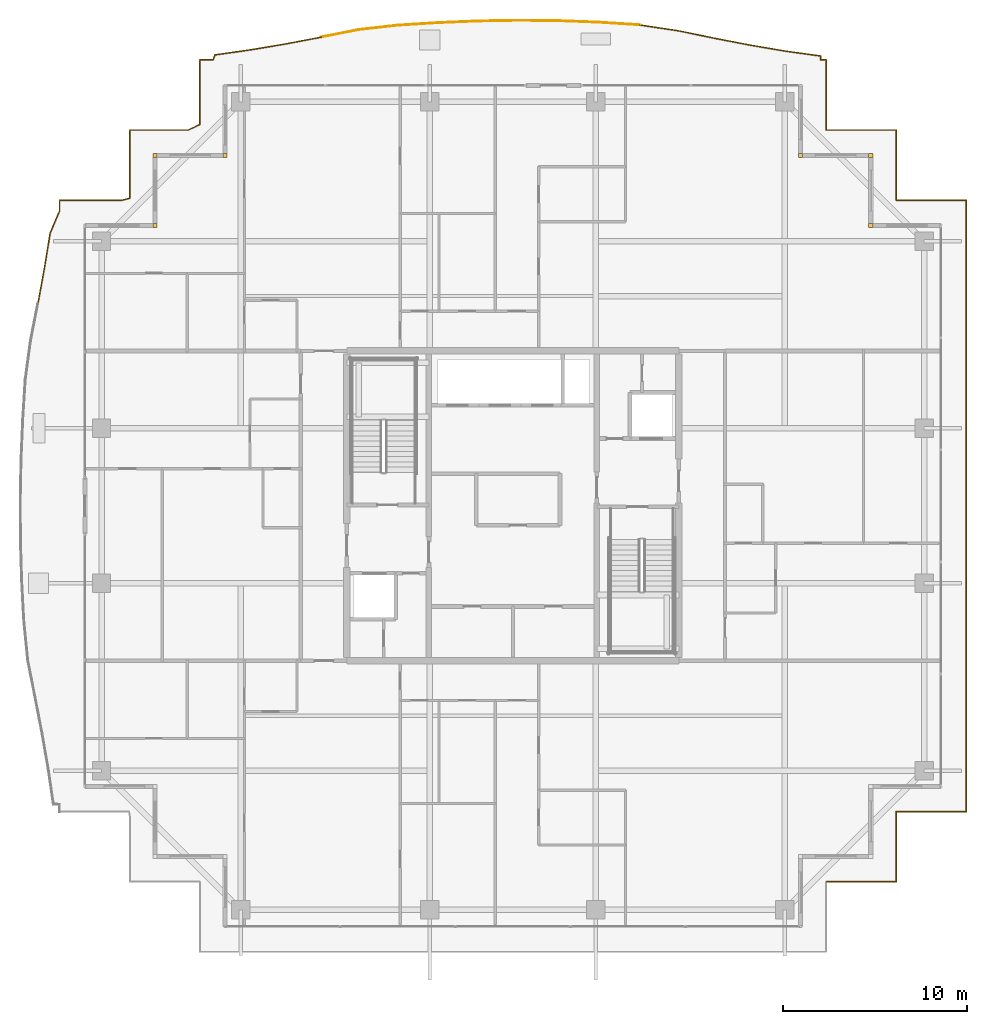
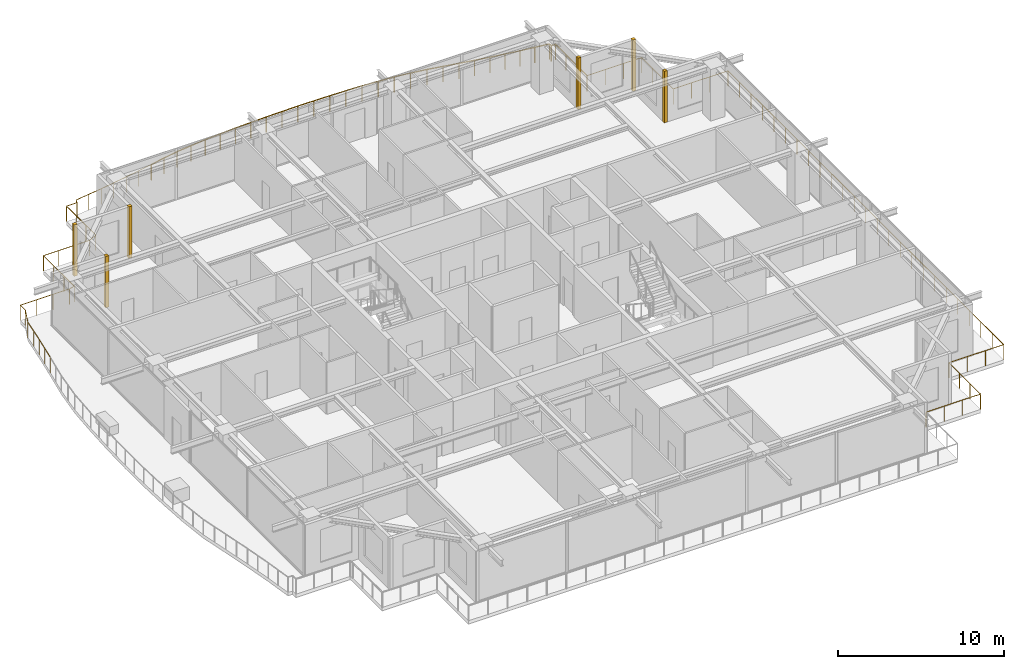
# One storey, part 37 of 37: 6 coverings, 5 railings.
"""IFC4 building model written with IfcOpenShell, lengths in metres."""

from ifc_helpers import new_model, si_unit, direction, frame, origin, origin_2d, place, context, subcontext, project, spatial, rectangle, circle, extrude, source, transform, mapped, material, layer, layer_set, type_object, element, save


model = new_model("IFC4")

# Units and contexts
model_context = context("Model", 3, precision=1e-05, world=origin(), true_north=direction((0.0, 1.0)))
body_context = subcontext(model_context, "Body", "Model", "MODEL_VIEW")
ifc_project = project(units=[si_unit("LENGTHUNIT", "METRE"), si_unit("AREAUNIT", "SQUARE_METRE"), si_unit("VOLUMEUNIT", "CUBIC_METRE"), si_unit("PLANEANGLEUNIT", "RADIAN"), si_unit("MASSUNIT", "GRAM", prefix="KILO")], contexts=[model_context])

# Site, building, storey
site_placement = place(None, origin())
site = spatial("IfcSite", under=ifc_project, at=site_placement, CompositionType="ELEMENT")
building_placement = place(site_placement, origin())
building = spatial("IfcBuilding", under=site, at=building_placement, Name="Serunith Strait Residences", CompositionType="ELEMENT")
storey_placement = place(building_placement, frame((0.0, 0.0, 317.75)))
storey = spatial("IfcBuildingStorey", under=building, at=storey_placement, Name="L79", CompositionType="ELEMENT", Elevation=317.75)

# Railings
ifc_material_1 = material(Name="Stainless Steel & Laminated Glass Balustrade", Category="steel")
railing_type = type_object("IfcRailingType", Name="RLG-BALC-1150", PredefinedType="BALUSTRADE", material=ifc_material_1)
railing_1_placement = place(storey_placement, frame((6.643798828125, 36.13525390625, -0.050048828125)))
element("IfcRailing", 1, at=railing_1_placement, inside=storey, type_object=railing_type, Name="L79 Swirling Balcony Perimeter Balustrade 3", PredefinedType="BALUSTRADE", context=body_context, shape_type="SweptSolid", body=[
    extrude(circle(Radius=0.02392578125, at=origin_2d()), frame((0.000244140625, 0.001953125, 1.1259765625), z_axis=(0.181240934076, 0.983438723976, 0.0), x_axis=(-0.983438723976, 0.181240934076, 0.0)), (0.0, 0.0, 1.0), 1.974853515625),
    extrude(circle(Radius=0.02392578125, at=origin_2d()), frame((0.35888671875, 1.947998046875, 1.1259765625), z_axis=(0.160601463022, 0.987019336222, 0.0), x_axis=(-0.987019336222, 0.160601463022, 0.0)), (0.0, 0.0, 1.0), 1.935791015625),
    extrude(circle(Radius=0.02392578125, at=origin_2d()), frame((0.6708984375, 3.862548828125, 1.1259765625), z_axis=(0.39336958254, 0.919380428078, 0.0), x_axis=(-0.919380428078, 0.39336958254, 0.0)), (0.0, 0.0, 1.0), 1.282470703125),
    extrude(circle(Radius=0.02392578125, at=origin_2d()), frame((1.17626953125, 5.04541015625, 1.1259765625), z_axis=(0.0, 1.0, 0.0), x_axis=(-1.0, 0.0, 0.0)), (0.0, 0.0, 1.0), 0.597412109375),
    extrude(circle(Radius=0.02392578125, at=origin_2d()), frame((1.17822265625, 5.644775390625, 1.1259765625), z_axis=(1.0, 0.0, 0.0), x_axis=(0.0, 1.0, 0.0)), (0.0, 0.0, 1.0), 3.408203125),
    extrude(circle(Radius=0.02392578125, at=origin_2d()), frame((4.59033203125, 5.645263671875, 1.1259765625), z_axis=(0.970034674682, 0.242966520153, 0.0), x_axis=(-0.242966520153, 0.970034674682, 0.0)), (0.0, 0.0, 1.0), 0.39599609375),
    extrude(circle(Radius=0.02392578125, at=origin_2d()), frame((4.976318359375, 5.743896484375, 1.1259765625), z_axis=(0.0, 1.0, 0.0), x_axis=(-1.0, 0.0, 0.0)), (0.0, 0.0, 1.0), 3.698974609375),
    extrude(circle(Radius=0.02392578125, at=origin_2d()), frame((4.978271484375, 9.44482421875, 1.1259765625), z_axis=(1.0, 0.0, 0.0), x_axis=(0.0, 1.0, 0.0)), (0.0, 0.0, 1.0), 3.179443359375),
    extrude(circle(Radius=0.02099609375, at=origin_2d()), origin(), (0.0, 0.0, 1.0), 1.099853515625),
    extrude(circle(Radius=0.02099609375, at=origin_2d()), frame((0.17919921875, 0.97314453125, 0.0)), (0.0, 0.0, 1.0), 1.099853515625),
    extrude(circle(Radius=0.02099609375, at=origin_2d()), frame((0.358642578125, 1.946044921875, 0.0)), (0.0, 0.0, 1.0), 1.099853515625),
    extrude(circle(Radius=0.02099609375, at=origin_2d()), frame((0.514404296875, 2.9033203125, 0.0)), (0.0, 0.0, 1.0), 1.099853515625),
    extrude(circle(Radius=0.02099609375, at=origin_2d()), frame((0.670166015625, 3.860595703125, 0.0)), (0.0, 0.0, 1.0), 1.099853515625),
    extrude(circle(Radius=0.02099609375, at=origin_2d()), frame((1.17626953125, 5.04345703125, 0.0)), (0.0, 0.0, 1.0), 1.099853515625),
    extrude(circle(Radius=0.02099609375, at=origin_2d()), frame((1.17626953125, 5.644775390625, 0.0)), (0.0, 0.0, 1.0), 1.099853515625),
    extrude(circle(Radius=0.02099609375, at=origin_2d()), frame((2.313720703125, 5.644775390625, 0.0)), (0.0, 0.0, 1.0), 1.099853515625),
    extrude(circle(Radius=0.02099609375, at=origin_2d()), frame((3.450927734375, 5.644775390625, 0.0)), (0.0, 0.0, 1.0), 1.099853515625),
    extrude(circle(Radius=0.02099609375, at=origin_2d()), frame((4.58837890625, 5.644775390625, 0.0)), (0.0, 0.0, 1.0), 1.099853515625),
    extrude(circle(Radius=0.02099609375, at=origin_2d()), frame((4.976318359375, 5.741943359375, 0.0)), (0.0, 0.0, 1.0), 1.099853515625),
    extrude(circle(Radius=0.02099609375, at=origin_2d()), frame((4.976318359375, 6.976318359375, 0.0)), (0.0, 0.0, 1.0), 1.099853515625),
    extrude(circle(Radius=0.02099609375, at=origin_2d()), frame((4.976318359375, 8.21044921875, 0.0)), (0.0, 0.0, 1.0), 1.099853515625),
    extrude(circle(Radius=0.02099609375, at=origin_2d()), frame((4.976318359375, 9.44482421875, 0.0)), (0.0, 0.0, 1.0), 1.099853515625),
    extrude(circle(Radius=0.02099609375, at=origin_2d()), frame((6.037353515625, 9.44482421875, 0.0)), (0.0, 0.0, 1.0), 1.099853515625),
    extrude(circle(Radius=0.02099609375, at=origin_2d()), frame((7.0986328125, 9.44482421875, 0.0)), (0.0, 0.0, 1.0), 1.099853515625),
    extrude(circle(Radius=0.02099609375, at=origin_2d()), frame((8.15966796875, 9.44482421875, 0.0)), (0.0, 0.0, 1.0), 1.099853515625),
])
railing_2_placement = place(storey_placement, frame((14.803466796875, 45.580078125, -0.050048828125)))
element("IfcRailing", 2, at=railing_2_placement, inside=storey, type_object=railing_type, Name="L79 Swirling Balcony Perimeter Balustrade 4", PredefinedType="BALUSTRADE", context=body_context, shape_type="SweptSolid", body=[
    extrude(circle(Radius=0.02392578125, at=origin_2d()), frame((0.001708984375, 0.000732421875, 1.1259765625), z_axis=(0.904436807831, 0.42660761906, 0.0), x_axis=(-0.42660761906, 0.904436807831, 0.0)), (0.0, 0.0, 1.0), 0.677490234375),
    extrude(circle(Radius=0.02392578125, at=origin_2d()), frame((0.616455078125, 0.292724609375, 1.1259765625), z_axis=(0.0, 1.0, 0.0), x_axis=(-1.0, 0.0, 0.0)), (0.0, 0.0, 1.0), 3.505126953125),
    extrude(circle(Radius=0.02392578125, at=origin_2d()), frame((0.618408203125, 3.7998046875, 1.1259765625), z_axis=(1.0, 0.0, 0.0), x_axis=(0.0, 1.0, 0.0)), (0.0, 0.0, 1.0), 0.727294921875),
    extrude(circle(Radius=0.02392578125, at=origin_2d()), frame((1.348388671875, 3.8017578125, 1.1259765625), z_axis=(0.314696398795, 0.94919238123, 0.0), x_axis=(-0.94919238123, 0.314696398795, 0.0)), (0.0, 0.0, 1.0), 0.282958984375),
    extrude(circle(Radius=0.02392578125, at=origin_2d()), frame((1.43994140625, 4.072509765625, 1.1259765625), z_axis=(0.990259866189, 0.139231452681, 0.0), x_axis=(-0.139231452681, 0.990259866189, 0.0)), (0.0, 0.0, 1.0), 1.916015625),
    extrude(circle(Radius=0.02392578125, at=origin_2d()), frame((3.34130859375, 4.33984375, 1.1259765625), z_axis=(0.986172650087, 0.165721164071, 0.0), x_axis=(-0.165721164071, 0.986172650087, 0.0)), (0.0, 0.0, 1.0), 1.942138671875),
    extrude(circle(Radius=0.02392578125, at=origin_2d()), frame((5.260498046875, 4.66259765625, 1.1259765625), z_axis=(0.982477997445, 0.186378605364, 0.0), x_axis=(-0.186378605364, 0.982477997445, 0.0)), (0.0, 0.0, 1.0), 1.984375),
    extrude(circle(Radius=0.02099609375, at=origin_2d()), origin(), (0.0, 0.0, 1.0), 1.099853515625),
    extrude(circle(Radius=0.02099609375, at=origin_2d()), frame((0.616455078125, 0.290771484375, 0.0)), (0.0, 0.0, 1.0), 1.099853515625),
    extrude(circle(Radius=0.02099609375, at=origin_2d()), frame((0.616455078125, 1.46044921875, 0.0)), (0.0, 0.0, 1.0), 1.099853515625),
    extrude(circle(Radius=0.02099609375, at=origin_2d()), frame((0.616455078125, 2.630126953125, 0.0)), (0.0, 0.0, 1.0), 1.099853515625),
    extrude(circle(Radius=0.02099609375, at=origin_2d()), frame((0.616455078125, 3.7998046875, 0.0)), (0.0, 0.0, 1.0), 1.099853515625),
    extrude(circle(Radius=0.02099609375, at=origin_2d()), frame((1.34765625, 3.7998046875, 0.0)), (0.0, 0.0, 1.0), 1.099853515625),
    extrude(circle(Radius=0.02099609375, at=origin_2d()), frame((1.43798828125, 4.072265625, 0.0)), (0.0, 0.0, 1.0), 1.099853515625),
    extrude(circle(Radius=0.02099609375, at=origin_2d()), frame((2.388671875, 4.2060546875, 0.0)), (0.0, 0.0, 1.0), 1.099853515625),
    extrude(circle(Radius=0.02099609375, at=origin_2d()), frame((3.33935546875, 4.339599609375, 0.0)), (0.0, 0.0, 1.0), 1.099853515625),
    extrude(circle(Radius=0.02099609375, at=origin_2d()), frame((4.298828125, 4.5009765625, 0.0)), (0.0, 0.0, 1.0), 1.099853515625),
    extrude(circle(Radius=0.02099609375, at=origin_2d()), frame((5.258544921875, 4.662109375, 0.0)), (0.0, 0.0, 1.0), 1.099853515625),
    extrude(circle(Radius=0.02099609375, at=origin_2d()), frame((6.2353515625, 4.847412109375, 0.0)), (0.0, 0.0, 1.0), 1.099853515625),
    extrude(circle(Radius=0.02099609375, at=origin_2d()), frame((7.212158203125, 5.03271484375, 0.0)), (0.0, 0.0, 1.0), 1.099853515625),
])
railing_3_placement = place(storey_placement, frame((22.015625, 50.61279296875, -0.050048828125)))
element("IfcRailing", 3, at=railing_3_placement, inside=storey, type_object=railing_type, Name="L79 Swirling Balcony Perimeter Balustrade 5", PredefinedType="BALUSTRADE", context=body_context, shape_type="SweptSolid", body=[
    extrude(circle(Radius=0.02392578125, at=origin_2d()), frame((0.001953125, 0.00048828125, 1.1259765625), z_axis=(0.980836806488, 0.19483110388, 0.0), x_axis=(-0.19483110388, 0.980836806488, 0.0)), (0.0, 0.0, 1.0), 2.042236328125),
    extrude(circle(Radius=0.02392578125, at=origin_2d()), frame((2.009033203125, 0.39892578125, 1.1259765625), z_axis=(0.993619011381, 0.112788564233, 0.0), x_axis=(-0.112788564233, 0.993619011381, 0.0)), (0.0, 0.0, 1.0), 2.12158203125),
    extrude(circle(Radius=0.02392578125, at=origin_2d()), frame((4.12109375, 0.638671875, 1.1259765625), z_axis=(0.998018326593, 0.062923920614, 0.0), x_axis=(-0.062923920614, 0.998018326593, 0.0)), (0.0, 0.0, 1.0), 2.168701171875),
    extrude(circle(Radius=0.02392578125, at=origin_2d()), frame((6.28955078125, 0.775146484375, 1.1259765625), z_axis=(0.9991220607, 0.041894006994, 0.0), x_axis=(-0.041894006994, 0.9991220607, 0.0)), (0.0, 0.0, 1.0), 2.193115234375),
    extrude(circle(Radius=0.02392578125, at=origin_2d()), frame((8.484619140625, 0.8671875, 1.1259765625), z_axis=(0.99985524953, 0.017014111428, 0.0), x_axis=(-0.017014111428, 0.99985524953, 0.0)), (0.0, 0.0, 1.0), 2.205810546875),
    extrude(circle(Radius=0.02392578125, at=origin_2d()), frame((10.694091796875, 0.90478515625, 1.1259765625), z_axis=(0.999948367045, -0.010161852399, 0.0), x_axis=(0.010161852399, 0.999948367045, 0.0)), (0.0, 0.0, 1.0), 2.206298828125),
    extrude(circle(Radius=0.02392578125, at=origin_2d()), frame((12.904296875, 0.88232421875, 1.1259765625), z_axis=(0.999277658997, -0.038002108237, 0.0), x_axis=(0.038002108237, 0.999277658997, 0.0)), (0.0, 0.0, 1.0), 2.193115234375),
    extrude(circle(Radius=0.02392578125, at=origin_2d()), frame((15.099853515625, 0.798583984375, 1.1259765625), z_axis=(0.997965888032, -0.063750186854, 0.0), x_axis=(0.063750186854, 0.997965888032, 0.0)), (0.0, 0.0, 1.0), 2.16748046875),
    extrude(circle(Radius=0.02099609375, at=origin_2d()), origin(), (0.0, 0.0, 1.0), 1.099853515625),
    extrude(circle(Radius=0.02099609375, at=origin_2d()), frame((1.00341796875, 0.19921875, 0.0)), (0.0, 0.0, 1.0), 1.099853515625),
    extrude(circle(Radius=0.02099609375, at=origin_2d()), frame((2.007080078125, 0.398681640625, 0.0)), (0.0, 0.0, 1.0), 1.099853515625),
    extrude(circle(Radius=0.02099609375, at=origin_2d()), frame((3.06298828125, 0.5185546875, 0.0)), (0.0, 0.0, 1.0), 1.099853515625),
    extrude(circle(Radius=0.02099609375, at=origin_2d()), frame((4.119140625, 0.638427734375, 0.0)), (0.0, 0.0, 1.0), 1.099853515625),
    extrude(circle(Radius=0.02099609375, at=origin_2d()), frame((5.203369140625, 0.706787109375, 0.0)), (0.0, 0.0, 1.0), 1.099853515625),
    extrude(circle(Radius=0.02099609375, at=origin_2d()), frame((6.28759765625, 0.775146484375, 0.0)), (0.0, 0.0, 1.0), 1.099853515625),
    extrude(circle(Radius=0.02099609375, at=origin_2d()), frame((7.38525390625, 0.8212890625, 0.0)), (0.0, 0.0, 1.0), 1.099853515625),
    extrude(circle(Radius=0.02099609375, at=origin_2d()), frame((8.482666015625, 0.8671875, 0.0)), (0.0, 0.0, 1.0), 1.099853515625),
    extrude(circle(Radius=0.02099609375, at=origin_2d()), frame((9.58740234375, 0.885986328125, 0.0)), (0.0, 0.0, 1.0), 1.099853515625),
    extrude(circle(Radius=0.02099609375, at=origin_2d()), frame((10.692138671875, 0.90478515625, 0.0)), (0.0, 0.0, 1.0), 1.099853515625),
    extrude(circle(Radius=0.02099609375, at=origin_2d()), frame((11.79736328125, 0.8935546875, 0.0)), (0.0, 0.0, 1.0), 1.099853515625),
    extrude(circle(Radius=0.02099609375, at=origin_2d()), frame((12.90234375, 0.88232421875, 0.0)), (0.0, 0.0, 1.0), 1.099853515625),
    extrude(circle(Radius=0.02099609375, at=origin_2d()), frame((14.0, 0.840576171875, 0.0)), (0.0, 0.0, 1.0), 1.099853515625),
    extrude(circle(Radius=0.02099609375, at=origin_2d()), frame((15.097900390625, 0.798828125, 0.0)), (0.0, 0.0, 1.0), 1.099853515625),
    extrude(circle(Radius=0.02099609375, at=origin_2d()), frame((16.181396484375, 0.7294921875, 0.0)), (0.0, 0.0, 1.0), 1.099853515625),
    extrude(circle(Radius=0.02099609375, at=origin_2d()), frame((17.264892578125, 0.660400390625, 0.0)), (0.0, 0.0, 1.0), 1.099853515625),
])
railing_4_placement = place(storey_placement, frame((39.280517578125, 51.273193359375, -0.050048828125)))
element("IfcRailing", 4, at=railing_4_placement, inside=storey, type_object=railing_type, Name="L79 Swirling Balcony Perimeter Balustrade 6", PredefinedType="BALUSTRADE", context=body_context, shape_type="SweptSolid", body=[
    extrude(circle(Radius=0.02392578125, at=origin_2d()), frame((0.001953125, -0.000244140625, 1.1259765625), z_axis=(0.988896355036, -0.148606860527, 0.0), x_axis=(0.148606860527, 0.988896355036, 0.0)), (0.0, 0.0, 1.0), 2.10205078125),
    extrude(circle(Radius=0.02392578125, at=origin_2d()), frame((2.084716796875, -0.3134765625, 1.1259765625), z_axis=(0.979483577609, -0.201523996572, 0.0), x_axis=(0.201523996572, 0.979483577609, 0.0)), (0.0, 0.0, 1.0), 2.0263671875),
    extrude(circle(Radius=0.02392578125, at=origin_2d()), frame((4.073486328125, -0.72265625, 1.1259765625), z_axis=(0.981756764187, -0.190141147499, 0.0), x_axis=(0.190141147499, 0.981756764187, 0.0)), (0.0, 0.0, 1.0), 1.969482421875),
    extrude(circle(Radius=0.02392578125, at=origin_2d()), frame((6.010986328125, -1.09765625, 1.1259765625), z_axis=(0.98607818548, -0.16628232654, 0.0), x_axis=(0.16628232654, 0.98607818548, 0.0)), (0.0, 0.0, 1.0), 1.9296875),
    extrude(circle(Radius=0.02392578125, at=origin_2d()), frame((7.917724609375, -1.419189453125, 1.1259765625), z_axis=(0.990506291409, -0.137467402239, 0.0), x_axis=(0.137467402239, 0.990506291409, 0.0)), (0.0, 0.0, 1.0), 1.906982421875),
    extrude(circle(Radius=0.02392578125, at=origin_2d()), frame((9.80859375, -1.68359375, 1.1259765625), z_axis=(-0.010380063588, -0.999946125689, 0.0), x_axis=(0.999946125689, -0.010380063588, 0.0)), (0.0, 0.0, 1.0), 0.207763671875),
    extrude(circle(Radius=0.02392578125, at=origin_2d()), frame((9.808349609375, -1.893310546875, 1.1259765625), z_axis=(1.0, 0.0, 0.0), x_axis=(0.0, 1.0, 0.0)), (0.0, 0.0, 1.0), 0.2890625),
    extrude(circle(Radius=0.02392578125, at=origin_2d()), frame((10.099365234375, -1.895263671875, 1.1259765625), z_axis=(0.0, -1.0, 0.0), x_axis=(1.0, 0.0, 0.0)), (0.0, 0.0, 1.0), 3.7958984375),
    extrude(circle(Radius=0.02099609375, at=origin_2d()), origin(), (0.0, 0.0, 1.0), 1.099853515625),
    extrude(circle(Radius=0.02099609375, at=origin_2d()), frame((1.04150390625, -0.156494140625, 0.0)), (0.0, 0.0, 1.0), 1.099853515625),
    extrude(circle(Radius=0.02099609375, at=origin_2d()), frame((2.082763671875, -0.31298828125, 0.0)), (0.0, 0.0, 1.0), 1.099853515625),
    extrude(circle(Radius=0.02099609375, at=origin_2d()), frame((3.0771484375, -0.517578125, 0.0)), (0.0, 0.0, 1.0), 1.099853515625),
    extrude(circle(Radius=0.02099609375, at=origin_2d()), frame((4.071533203125, -0.72216796875, 0.0)), (0.0, 0.0, 1.0), 1.099853515625),
    extrude(circle(Radius=0.02099609375, at=origin_2d()), frame((5.040283203125, -0.90966796875, 0.0)), (0.0, 0.0, 1.0), 1.099853515625),
    extrude(circle(Radius=0.02099609375, at=origin_2d()), frame((6.009033203125, -1.097412109375, 0.0)), (0.0, 0.0, 1.0), 1.099853515625),
    extrude(circle(Radius=0.02099609375, at=origin_2d()), frame((6.96240234375, -1.25830078125, 0.0)), (0.0, 0.0, 1.0), 1.099853515625),
    extrude(circle(Radius=0.02099609375, at=origin_2d()), frame((7.915771484375, -1.4189453125, 0.0)), (0.0, 0.0, 1.0), 1.099853515625),
    extrude(circle(Radius=0.02099609375, at=origin_2d()), frame((8.8623046875, -1.55029296875, 0.0)), (0.0, 0.0, 1.0), 1.099853515625),
    extrude(circle(Radius=0.02099609375, at=origin_2d()), frame((9.80859375, -1.681640625, 0.0)), (0.0, 0.0, 1.0), 1.099853515625),
    extrude(circle(Radius=0.02099609375, at=origin_2d()), frame((9.806396484375, -1.893310546875, 0.0)), (0.0, 0.0, 1.0), 1.099853515625),
    extrude(circle(Radius=0.02099609375, at=origin_2d()), frame((10.099365234375, -1.893310546875, 0.0)), (0.0, 0.0, 1.0), 1.099853515625),
    extrude(circle(Radius=0.02099609375, at=origin_2d()), frame((10.099365234375, -3.159912109375, 0.0)), (0.0, 0.0, 1.0), 1.099853515625),
    extrude(circle(Radius=0.02099609375, at=origin_2d()), frame((10.099365234375, -4.426513671875, 0.0)), (0.0, 0.0, 1.0), 1.099853515625),
    extrude(circle(Radius=0.02099609375, at=origin_2d()), frame((10.099365234375, -5.693115234375, 0.0)), (0.0, 0.0, 1.0), 1.099853515625),
])
railing_5_placement = place(storey_placement, frame((49.3798828125, 45.580078125, -0.050048828125)))
element("IfcRailing", 5, at=railing_5_placement, inside=storey, type_object=railing_type, Name="L79 Swirling Balcony Perimeter Balustrade 7", PredefinedType="BALUSTRADE", context=body_context, shape_type="SweptSolid", body=[
    extrude(circle(Radius=0.02392578125, at=origin_2d()), frame((0.001953125, 0.0, 1.1259765625), z_axis=(1.0, 0.0, 0.0), x_axis=(0.0, 1.0, 0.0)), (0.0, 0.0, 1.0), 3.796142578125),
    extrude(circle(Radius=0.02392578125, at=origin_2d()), frame((3.800048828125, -0.001953125, 1.1259765625), z_axis=(0.0, -1.0, 0.0), x_axis=(1.0, 0.0, 0.0)), (0.0, 0.0, 1.0), 3.796142578125),
    extrude(circle(Radius=0.02392578125, at=origin_2d()), frame((3.802001953125, -3.800048828125, 1.1259765625), z_axis=(1.0, 0.0, 0.0), x_axis=(0.0, 1.0, 0.0)), (0.0, 0.0, 1.0), 3.796142578125),
    extrude(circle(Radius=0.02392578125, at=origin_2d()), frame((7.60009765625, -3.802001953125, 1.1259765625), z_axis=(0.0, -1.0, 0.0), x_axis=(1.0, 0.0, 0.0)), (0.0, 0.0, 1.0), 33.156005859375),
    extrude(circle(Radius=0.02392578125, at=origin_2d()), frame((7.59814453125, -36.9599609375, 1.1259765625), z_axis=(-1.0, 0.0, 0.0), x_axis=(0.0, -1.0, 0.0)), (0.0, 0.0, 1.0), 3.796142578125),
    extrude(circle(Radius=0.02392578125, at=origin_2d()), frame((3.800048828125, -36.9619140625, 1.1259765625), z_axis=(0.0, -1.0, 0.0), x_axis=(1.0, 0.0, 0.0)), (0.0, 0.0, 1.0), 3.796142578125),
    extrude(circle(Radius=0.02392578125, at=origin_2d()), frame((3.798095703125, -40.760009765625, 1.1259765625), z_axis=(-1.0, 0.0, 0.0), x_axis=(0.0, -1.0, 0.0)), (0.0, 0.0, 1.0), 3.783447265625),
    extrude(circle(Radius=0.02099609375, at=origin_2d()), origin(), (0.0, 0.0, 1.0), 1.099853515625),
    extrude(circle(Radius=0.02099609375, at=origin_2d()), frame((1.2666015625, 0.0, 0.0)), (0.0, 0.0, 1.0), 1.099853515625),
    extrude(circle(Radius=0.02099609375, at=origin_2d()), frame((2.533447265625, 0.0, 0.0)), (0.0, 0.0, 1.0), 1.099853515625),
    extrude(circle(Radius=0.02099609375, at=origin_2d()), frame((3.800048828125, 0.0, 0.0)), (0.0, 0.0, 1.0), 1.099853515625),
    extrude(circle(Radius=0.02099609375, at=origin_2d()), frame((3.800048828125, -1.2666015625, 0.0)), (0.0, 0.0, 1.0), 1.099853515625),
    extrude(circle(Radius=0.02099609375, at=origin_2d()), frame((3.800048828125, -2.533447265625, 0.0)), (0.0, 0.0, 1.0), 1.099853515625),
    extrude(circle(Radius=0.02099609375, at=origin_2d()), frame((3.800048828125, -3.800048828125, 0.0)), (0.0, 0.0, 1.0), 1.099853515625),
    extrude(circle(Radius=0.02099609375, at=origin_2d()), frame((5.066650390625, -3.800048828125, 0.0)), (0.0, 0.0, 1.0), 1.099853515625),
    extrude(circle(Radius=0.02099609375, at=origin_2d()), frame((6.33349609375, -3.800048828125, 0.0)), (0.0, 0.0, 1.0), 1.099853515625),
    extrude(circle(Radius=0.02099609375, at=origin_2d()), frame((7.60009765625, -3.800048828125, 0.0)), (0.0, 0.0, 1.0), 1.099853515625),
    extrude(circle(Radius=0.02099609375, at=origin_2d()), frame((7.60009765625, -5.181640625, 0.0)), (0.0, 0.0, 1.0), 1.099853515625),
    extrude(circle(Radius=0.02099609375, at=origin_2d()), frame((7.60009765625, -6.5634765625, 0.0)), (0.0, 0.0, 1.0), 1.099853515625),
    extrude(circle(Radius=0.02099609375, at=origin_2d()), frame((7.60009765625, -7.945068359375, 0.0)), (0.0, 0.0, 1.0), 1.099853515625),
    extrude(circle(Radius=0.02099609375, at=origin_2d()), frame((7.60009765625, -9.32666015625, 0.0)), (0.0, 0.0, 1.0), 1.099853515625),
    extrude(circle(Radius=0.02099609375, at=origin_2d()), frame((7.60009765625, -10.708251953125, 0.0)), (0.0, 0.0, 1.0), 1.099853515625),
    extrude(circle(Radius=0.02099609375, at=origin_2d()), frame((7.60009765625, -12.090087890625, 0.0)), (0.0, 0.0, 1.0), 1.099853515625),
    extrude(circle(Radius=0.02099609375, at=origin_2d()), frame((7.60009765625, -13.4716796875, 0.0)), (0.0, 0.0, 1.0), 1.099853515625),
    extrude(circle(Radius=0.02099609375, at=origin_2d()), frame((7.60009765625, -14.853271484375, 0.0)), (0.0, 0.0, 1.0), 1.099853515625),
    extrude(circle(Radius=0.02099609375, at=origin_2d()), frame((7.60009765625, -16.235107421875, 0.0)), (0.0, 0.0, 1.0), 1.099853515625),
    extrude(circle(Radius=0.02099609375, at=origin_2d()), frame((7.60009765625, -17.61669921875, 0.0)), (0.0, 0.0, 1.0), 1.099853515625),
    extrude(circle(Radius=0.02099609375, at=origin_2d()), frame((7.60009765625, -18.998291015625, 0.0)), (0.0, 0.0, 1.0), 1.099853515625),
    extrude(circle(Radius=0.02099609375, at=origin_2d()), frame((7.60009765625, -20.3798828125, 0.0)), (0.0, 0.0, 1.0), 1.099853515625),
    extrude(circle(Radius=0.02099609375, at=origin_2d()), frame((7.60009765625, -21.76171875, 0.0)), (0.0, 0.0, 1.0), 1.099853515625),
    extrude(circle(Radius=0.02099609375, at=origin_2d()), frame((7.60009765625, -23.143310546875, 0.0)), (0.0, 0.0, 1.0), 1.099853515625),
    extrude(circle(Radius=0.02099609375, at=origin_2d()), frame((7.60009765625, -24.52490234375, 0.0)), (0.0, 0.0, 1.0), 1.099853515625),
    extrude(circle(Radius=0.02099609375, at=origin_2d()), frame((7.60009765625, -25.90673828125, 0.0)), (0.0, 0.0, 1.0), 1.099853515625),
    extrude(circle(Radius=0.02099609375, at=origin_2d()), frame((7.60009765625, -27.288330078125, 0.0)), (0.0, 0.0, 1.0), 1.099853515625),
    extrude(circle(Radius=0.02099609375, at=origin_2d()), frame((7.60009765625, -28.669921875, 0.0)), (0.0, 0.0, 1.0), 1.099853515625),
    extrude(circle(Radius=0.02099609375, at=origin_2d()), frame((7.60009765625, -30.0517578125, 0.0)), (0.0, 0.0, 1.0), 1.099853515625),
    extrude(circle(Radius=0.02099609375, at=origin_2d()), frame((7.60009765625, -31.433349609375, 0.0)), (0.0, 0.0, 1.0), 1.099853515625),
    extrude(circle(Radius=0.02099609375, at=origin_2d()), frame((7.60009765625, -32.81494140625, 0.0)), (0.0, 0.0, 1.0), 1.099853515625),
    extrude(circle(Radius=0.02099609375, at=origin_2d()), frame((7.60009765625, -34.196533203125, 0.0)), (0.0, 0.0, 1.0), 1.099853515625),
    extrude(circle(Radius=0.02099609375, at=origin_2d()), frame((7.60009765625, -35.578369140625, 0.0)), (0.0, 0.0, 1.0), 1.099853515625),
    extrude(circle(Radius=0.02099609375, at=origin_2d()), frame((7.60009765625, -36.9599609375, 0.0)), (0.0, 0.0, 1.0), 1.099853515625),
    extrude(circle(Radius=0.02099609375, at=origin_2d()), frame((6.33349609375, -36.9599609375, 0.0)), (0.0, 0.0, 1.0), 1.099853515625),
    extrude(circle(Radius=0.02099609375, at=origin_2d()), frame((5.066650390625, -36.9599609375, 0.0)), (0.0, 0.0, 1.0), 1.099853515625),
    extrude(circle(Radius=0.02099609375, at=origin_2d()), frame((3.800048828125, -36.9599609375, 0.0)), (0.0, 0.0, 1.0), 1.099853515625),
    extrude(circle(Radius=0.02099609375, at=origin_2d()), frame((3.800048828125, -38.2265625, 0.0)), (0.0, 0.0, 1.0), 1.099853515625),
    extrude(circle(Radius=0.02099609375, at=origin_2d()), frame((3.800048828125, -39.493408203125, 0.0)), (0.0, 0.0, 1.0), 1.099853515625),
    extrude(circle(Radius=0.02099609375, at=origin_2d()), frame((3.800048828125, -40.760009765625, 0.0)), (0.0, 0.0, 1.0), 1.099853515625),
    extrude(circle(Radius=0.02099609375, at=origin_2d()), frame((2.53759765625, -40.760009765625, 0.0)), (0.0, 0.0, 1.0), 1.099853515625),
    extrude(circle(Radius=0.02099609375, at=origin_2d()), frame((1.275146484375, -40.760009765625, 0.0)), (0.0, 0.0, 1.0), 1.099853515625),
    extrude(circle(Radius=0.02099609375, at=origin_2d()), frame((0.0126953125, -40.760009765625, 0.0)), (0.0, 0.0, 1.0), 1.099853515625),
])

# Coverings
ifc_material_2 = material(Name="Pale-Champagne Anodised Aluminium", Category="aluminium")
ifc_layer = layer(ifc_material_2, 0.219970703125, Name="Pale-Champagne Anodised Aluminium")
ifc_layer_set = layer_set([ifc_layer], Name="Pale-Champagne Anodised Aluminium")
covering_type = type_object("IfcCoveringType", Name="COV-CORN-TRIM", PredefinedType="CLADDING", material=ifc_layer_set)
shared_shape = source(origin(), body_context, "Body", "SweptSolid", [
    extrude(rectangle(XDim=0.221923828125, YDim=0.221923828125, at=origin_2d()), origin(), (0.0, 0.0, 1.0), 3.77490234375),
])
for number, where, z_axis, x_axis, name in (
    (6, (51.800048828125, 40.39990234375, 0.0), (0.0, 0.0, 1.0), (1.0, 0.0, 0.0), "L79 Girih Serrated Corner Trim Post 07"),
    (7, (51.800048828125, 44.199951171875, 0.0), (0.0, 0.0, 1.0), (1.0, 0.0, 0.0), "L79 Girih Serrated Corner Trim Post 08"),
    (8, (48.0, 44.199951171875, 0.0), (0.0, 0.0, 1.0), (1.0, 0.0, 0.0), "L79 Girih Serrated Corner Trim Post 09"),
    (9, (16.800048828125, 44.199951171875, 0.0), (0.0, 0.0, 1.0), (1.0, 0.0, 0.0), "L79 Girih Serrated Corner Trim Post 12"),
    (10, (13.0, 44.199951171875, 0.0), (0.0, 0.0, 1.0), (1.0, 0.0, 0.0), "L79 Girih Serrated Corner Trim Post 13"),
    (11, (13.0, 40.39990234375, 0.0), (0.0, 0.0, 1.0), (1.0, 0.0, 0.0), "L79 Girih Serrated Corner Trim Post 14"),
):
    element("IfcCovering", number, at=place(storey_placement, frame(where, z_axis=z_axis, x_axis=x_axis)), inside=storey, type_object=covering_type, Name=name, PredefinedType="CLADDING", context=body_context, shape_type="MappedRepresentation", body=[
        mapped(shared_shape, transform((0.0, 0.0, 0.0), scale=1.0)),
    ])

save(model, "model.ifc")
